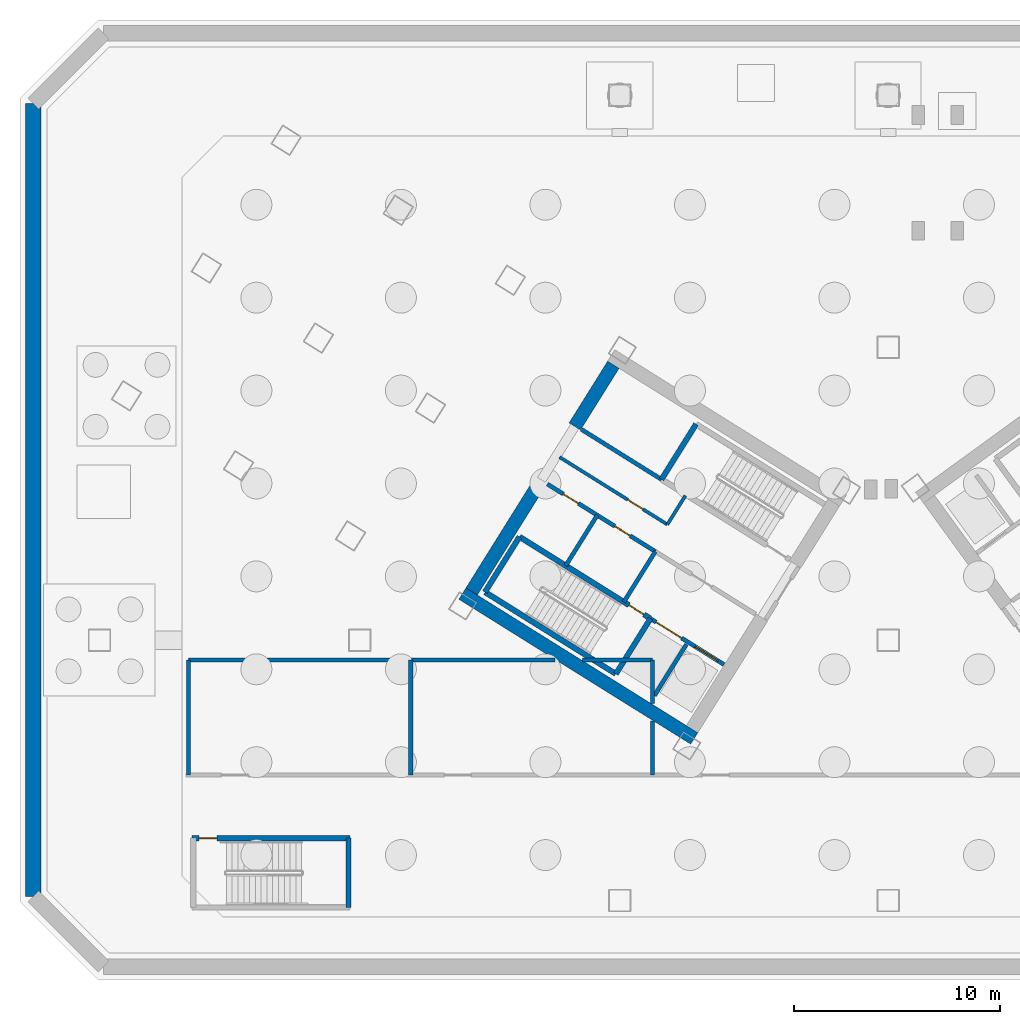
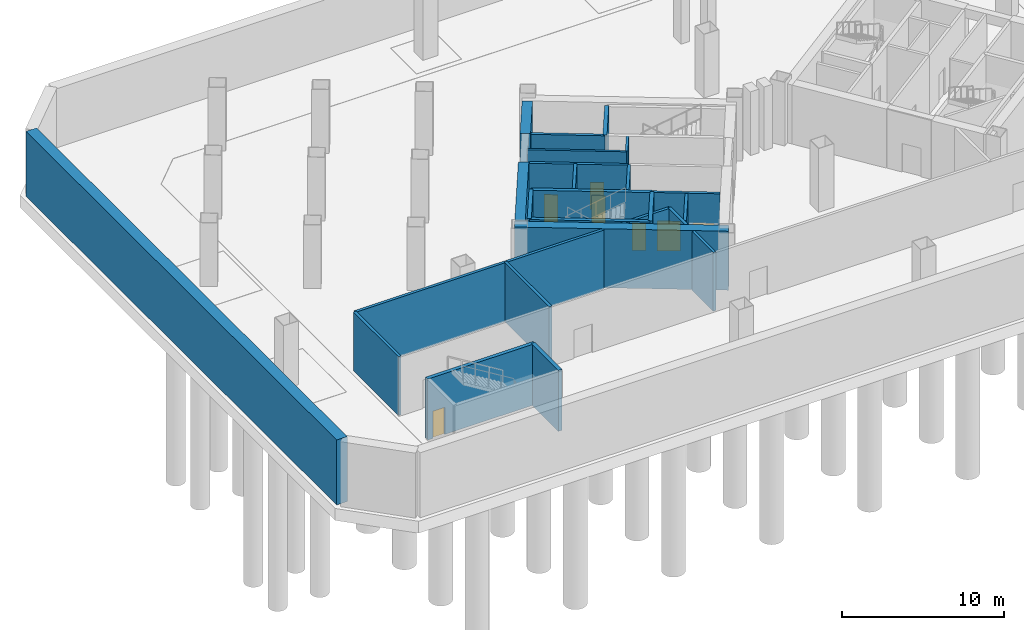
# One storey, part 4 of 11: 26 walls, 7 doors, 7 openings.
"""IFC4 building model written with IfcOpenShell, lengths in metres."""

from ifc_helpers import new_model, si_unit, direction, frame, frame_2d, origin, place, context, subcontext, project, spatial, rectangle, extrude, source, transform, mapped, material, layer, layer_set, type_object, element, fill, save


model = new_model("IFC4")

# Units and contexts
model_context = context("Model", 3, precision=1e-05, world=origin(), true_north=direction((0.0, 1.0)))
body_context = subcontext(model_context, "Body", "Model", "MODEL_VIEW")
ifc_project = project(units=[si_unit("LENGTHUNIT", "METRE"), si_unit("AREAUNIT", "SQUARE_METRE"), si_unit("VOLUMEUNIT", "CUBIC_METRE"), si_unit("PLANEANGLEUNIT", "RADIAN"), si_unit("MASSUNIT", "GRAM", prefix="KILO")], contexts=[model_context])

# Site, building, storey
site_placement = place(None, origin())
site = spatial("IfcSite", under=ifc_project, at=site_placement, CompositionType="ELEMENT")
building_placement = place(site_placement, origin())
building = spatial("IfcBuilding", under=site, at=building_placement, Name="Tlacorven Tower", CompositionType="ELEMENT")
storey_placement = place(building_placement, frame((0.0, 0.0, -9.60009765625)))
storey = spatial("IfcBuildingStorey", under=building, at=storey_placement, Name="B2", CompositionType="ELEMENT", Elevation=-9.60009765625)

# Walls
ifc_material_1 = material(Name="Concrete C60/75", Category="concrete")
ifc_layer_1 = layer(ifc_material_1, 0.64990234375)
ifc_layer_set_1 = layer_set([ifc_layer_1], Name="Concrete C60/75")
wall_type_1 = type_object("IfcWallType", Name="WL-COR-650", PredefinedType="SHEAR", material=ifc_layer_set_1)
wall_1_placement = place(storey_placement, frame((33.40869140625, 12.449951171875, 0.0), z_axis=(0.0, 0.0, 1.0), x_axis=(-0.848051132073, 0.529914405721, 0.0)))
element("IfcWall", 1, at=wall_1_placement, inside=storey, type_object=wall_type_1, Name="B2 W core shear wall S2", PredefinedType="SHEAR", context=body_context, shape_type="SweptSolid", body=[
    extrude(rectangle(XDim=13.239990234375, YDim=0.64990234375, at=frame_2d((6.6201171875, 0.0))), origin(), (0.0, 0.0, 1.0), 4.4501953125),
])
wall_2_placement = place(storey_placement, frame((29.49072265625, 30.5517578125, 0.0), z_axis=(0.0, 0.0, 1.0), x_axis=(-0.529893103397, -0.8480644427, 0.0)))
element("IfcWall", 2, at=wall_2_placement, inside=storey, type_object=wall_type_1, Name="B2 W core end wall E2.1", PredefinedType="SHEAR", context=body_context, shape_type="SweptSolid", body=[
    extrude(rectangle(XDim=3.525146484375, YDim=0.64990234375, at=frame_2d((1.7626953125, 0.0))), origin(), (0.0, 0.0, 1.0), 4.4501953125),
])
wall_3_placement = place(storey_placement, frame((26.006591796875, 24.975830078125, 0.0), z_axis=(0.0, 0.0, 1.0), x_axis=(-0.529916319127, -0.848049936456, 0.0)))
element("IfcWall", 3, at=wall_3_placement, inside=storey, type_object=wall_type_1, Name="B2 W core end wall E2.2", PredefinedType="SHEAR", context=body_context, shape_type="SweptSolid", body=[
    extrude(rectangle(XDim=6.375, YDim=0.64990234375, at=frame_2d((3.1875, 0.0))), origin(), (0.0, 0.0, 1.0), 4.4501953125),
])

# Wall, opening, door
ifc_material_2 = material(Name="Gypsum plasterboard acoustic partition", Category="gypsum")
ifc_layer_2 = layer(ifc_material_2, 0.159912109375)
ifc_layer_set_2 = layer_set([ifc_layer_2], Name="Gypsum plasterboard acoustic partition")
wall_type_2 = type_object("IfcWallType", Name="WL-DEM-160", PredefinedType="PARTITIONING", material=ifc_layer_set_2)
wall_4_placement = place(storey_placement, frame((32.108154296875, 22.81396484375, 0.0), z_axis=(0.0, 0.0, 1.0), x_axis=(-0.848047283855, 0.529920564185, 0.0)))
wall_4 = element("IfcWall", 4, at=wall_4_placement, inside=storey, type_object=wall_type_2, Name="B2 partition 11", PredefinedType="PARTITIONING", context=body_context, shape_type="SweptSolid", body=[
    extrude(rectangle(XDim=6.16015625, YDim=0.159912109375, at=frame_2d((3.080078125, 0.0))), origin(), (0.0, 0.0, 1.0), 4.440185546875),
])
opening_1_placement = place(wall_4_placement, frame((1.39990234375, 0.0, 0.0)))
opening_1 = element("IfcOpeningElement", 5, at=opening_1_placement, cuts=wall_4, Name="Opening D19", PredefinedType="OPENING", context=body_context, shape_type="SweptSolid", body=[
    extrude(rectangle(XDim=0.860107421875, YDim=2.050048828125, at=frame_2d((0.43017578125, 1.02490234375))), frame((0.0, 0.08984375, 0.0), z_axis=(0.0, -1.0, 0.0), x_axis=(1.0, 0.0, 0.0)), (0.0, 0.0, 1.0), 0.179931640625),
])
ifc_material_3 = material(Name="Fire-rated steel door assembly", Category="steel")
door_type_1 = type_object("IfcDoorType", Name="DR-RSR-FD60-0860", OperationType="NOTDEFINED", PredefinedType="DOOR", material=ifc_material_3)
shared_shape_1 = source(origin(), body_context, "Body", "SweptSolid", [
    extrude(rectangle(XDim=0.860107421875, YDim=2.050048828125, at=frame_2d((0.43017578125, 1.02490234375))), frame((0.0, 0.02490234375, 0.0), z_axis=(0.0, -1.0, 0.0), x_axis=(1.0, 0.0, 0.0)), (0.0, 0.0, 1.0), 0.050048828125),
])
door_1_placement = place(opening_1_placement, origin())
door_1 = element("IfcDoor", 6, at=door_1_placement, inside=storey, type_object=door_type_1, Name="B2 Freed Core Store Door", OperationType="SINGLE_SWING_LEFT", OverallHeight=2.050048828125, OverallWidth=0.860107421875, PredefinedType="DOOR", context=body_context, shape_type="MappedRepresentation", body=[
    mapped(shared_shape_1, transform((0.0, 0.0, 0.0), scale=1.0)),
])
fill(opening_1, door_1)

# Walls
wall_5_placement = place(storey_placement, frame((32.982421875, 24.21337890625, 0.0), z_axis=(0.0, 0.0, 1.0), x_axis=(-0.529839334948, -0.84809803628, 0.0)))
element("IfcWall", 7, at=wall_5_placement, inside=storey, type_object=wall_type_2, Name="B2 partition 12", PredefinedType="PARTITIONING", context=body_context, shape_type="SweptSolid", body=[
    extrude(rectangle(XDim=1.650146484375, YDim=0.159912109375, at=frame_2d((0.8251953125, 0.0))), origin(), (0.0, 0.0, 1.0), 4.440185546875),
])
ifc_material_4 = material(Name="Concrete C50/60", Category="concrete")
ifc_layer_3 = layer(ifc_material_4, 0.75)
ifc_layer_set_3 = layer_set([ifc_layer_3], Name="Concrete C50/60")
wall_type_3 = type_object("IfcWallType", Name="WL-RET-750", PredefinedType="USERDEFINED", material=ifc_layer_set_3)
wall_6_placement = place(storey_placement, frame((1.39990234375, 43.199951171875, -0.449951171875), z_axis=(0.0, 0.0, 1.0), x_axis=(0.0, -1.0, 0.0)))
element("IfcWall", 8, at=wall_6_placement, inside=storey, type_object=wall_type_3, Name="B2 Diaphragm Retaining Wall 7", ObjectType="RETAINING WALL", PredefinedType="USERDEFINED", context=body_context, shape_type="SweptSolid", body=[
    extrude(rectangle(XDim=38.39990234375, YDim=0.75, at=frame_2d((19.199951171875, 0.0))), origin(), (0.0, 0.0, 1.0), 4.900146484375),
])

# Wall, openings, doors
ifc_material_5 = material(Name="Concrete C40/50", Category="concrete")
ifc_layer_4 = layer(ifc_material_5, 0.199951171875)
ifc_layer_set_4 = layer_set([ifc_layer_4], Name="Concrete C40/50")
wall_type_4 = type_object("IfcWallType", Name="WL-SHF-200", PredefinedType="STANDARD", material=ifc_layer_set_4)
wall_7_placement = place(storey_placement, frame((34.84814453125, 16.03125, 0.0), z_axis=(0.0, 0.0, 1.0), x_axis=(-0.848044042236, 0.529925751807, 0.0)))
wall_7 = element("IfcWall", 9, at=wall_7_placement, inside=storey, type_object=wall_type_4, Name="B2 Core W Firefighting Lift Shaft Front Wall", PredefinedType="STANDARD", context=body_context, shape_type="SweptSolid", body=[
    extrude(rectangle(XDim=4.197998046875, YDim=0.199951171875, at=frame_2d((2.09912109375, 0.0))), origin(), (0.0, 0.0, 1.0), 4.440185546875),
])
opening_2_placement = place(wall_7_placement, frame((0.347900390625, 0.0, 0.0)))
opening_2 = element("IfcOpeningElement", 10, at=opening_2_placement, cuts=wall_7, Name="Opening LD03", PredefinedType="OPENING", context=body_context, shape_type="SweptSolid", body=[
    extrude(rectangle(XDim=1.300048828125, YDim=2.199951171875, at=frame_2d((0.64990234375, 1.10009765625))), frame((0.0, 0.10986328125, 0.0), z_axis=(0.0, -1.0, 0.0), x_axis=(1.0, 0.0, 0.0)), (0.0, 0.0, 1.0), 0.219970703125),
])
opening_3_placement = place(wall_7_placement, frame((2.423095703125, 0.0, 0.0)))
opening_3 = element("IfcOpeningElement", 11, at=opening_3_placement, cuts=wall_7, Name="Opening LD04", PredefinedType="OPENING", context=body_context, shape_type="SweptSolid", body=[
    extrude(rectangle(XDim=1.449951171875, YDim=2.25, at=frame_2d((0.72509765625, 1.125))), frame((0.0, 0.10986328125, 0.0), z_axis=(0.0, -1.0, 0.0), x_axis=(1.0, 0.0, 0.0)), (0.0, 0.0, 1.0), 0.219970703125),
])
door_type_2 = type_object("IfcDoorType", Name="DR-LFT-SLID-1300", OperationType="DOUBLE_DOOR_SLIDING", PredefinedType="DOOR", material=ifc_material_3)
shared_shape_2 = source(origin(), body_context, "Body", "SweptSolid", [
    extrude(rectangle(XDim=1.300048828125, YDim=2.199951171875, at=frame_2d((0.64990234375, 1.10009765625))), frame((0.0, 0.02490234375, 0.0), z_axis=(0.0, -1.0, 0.0), x_axis=(1.0, 0.0, 0.0)), (0.0, 0.0, 1.0), 0.050048828125),
])
door_2_placement = place(opening_2_placement, origin())
door_2 = element("IfcDoor", 12, at=door_2_placement, inside=storey, type_object=door_type_2, Name="B2 Lift FFL-W1 Sliding Landing Door", OperationType="DOUBLE_DOOR_SLIDING", OverallHeight=2.199951171875, OverallWidth=1.300048828125, PredefinedType="DOOR", context=body_context, shape_type="MappedRepresentation", body=[
    mapped(shared_shape_2, transform((0.0, 0.0, 0.0), scale=1.0)),
])
fill(opening_2, door_2)
door_type_3 = type_object("IfcDoorType", Name="DR-LFT-SLID-1450", OperationType="DOUBLE_DOOR_SLIDING", PredefinedType="DOOR", material=ifc_material_3)
shared_shape_3 = source(origin(), body_context, "Body", "SweptSolid", [
    extrude(rectangle(XDim=1.449951171875, YDim=2.25, at=frame_2d((0.72509765625, 1.125))), frame((0.0, 0.02490234375, 0.0), z_axis=(0.0, -1.0, 0.0), x_axis=(1.0, 0.0, 0.0)), (0.0, 0.0, 1.0), 0.050048828125),
])
door_3_placement = place(opening_3_placement, origin())
door_3 = element("IfcDoor", 13, at=door_3_placement, inside=storey, type_object=door_type_3, Name="B2 Lift SVL-W1 Sliding Landing Door", OperationType="DOUBLE_DOOR_SLIDING", OverallHeight=2.25, OverallWidth=1.449951171875, PredefinedType="DOOR", context=body_context, shape_type="MappedRepresentation", body=[
    mapped(shared_shape_3, transform((0.0, 0.0, 0.0), scale=1.0)),
])
fill(opening_3, door_3)

# Walls
wall_8_placement = place(storey_placement, frame((31.82177734375, 24.99755859375, 0.0), z_axis=(0.0, 0.0, 1.0), x_axis=(-0.848058348634, 0.529902856485, 0.0)))
element("IfcWall", 14, at=wall_8_placement, inside=storey, type_object=wall_type_4, Name="B2 Core W South Lift Shaft Wall", PredefinedType="STANDARD", context=body_context, shape_type="SweptSolid", body=[
    extrude(rectangle(XDim=4.568115234375, YDim=0.199951171875, at=frame_2d((2.2841796875, 0.0))), origin(), (0.0, 0.0, 1.0), 4.440185546875),
])
wall_9_placement = place(storey_placement, frame((33.02880859375, 17.003173828125, 0.0), z_axis=(0.0, 0.0, 1.0), x_axis=(-0.529916267533, -0.848049968695, 0.0)))
element("IfcWall", 15, at=wall_9_placement, inside=storey, type_object=wall_type_4, Name="B2 partition 13", PredefinedType="STANDARD", context=body_context, shape_type="SweptSolid", body=[
    extrude(rectangle(XDim=2.919921875, YDim=0.199951171875, at=frame_2d((1.4599609375, 0.0))), origin(), (0.0, 0.0, 1.0), 4.440185546875),
])
for number, where, z_axis, x_axis, name in (
    (16, (31.525146484375, 21.503662109375, 0.0), (0.0, 0.0, 1.0), (-0.529907497854, -0.848055448493, 0.0), "B2 partition 14"),
    (17, (28.709716796875, 23.26318359375, 0.0), (0.0, 0.0, 1.0), (-0.529907497854, -0.848055448493, 0.0), "B2 partition 15"),
):
    element("IfcWall", number, at=place(storey_placement, frame(where, z_axis=z_axis, x_axis=x_axis)), inside=storey, type_object=wall_type_4, Name=name, PredefinedType="STANDARD", context=body_context, shape_type="SweptSolid", body=[
        extrude(rectangle(XDim=2.8798828125, YDim=0.199951171875, at=frame_2d((1.43994140625, 0.0))), origin(), (0.0, 0.0, 1.0), 4.440185546875),
    ])

# Wall, openings, doors
wall_10_placement = place(storey_placement, frame((31.525146484375, 21.503662109375, 0.0), z_axis=(0.0, 0.0, 1.0), x_axis=(-0.848044998614, 0.529924221305, 0.0)))
wall_10 = element("IfcWall", 18, at=wall_10_placement, inside=storey, type_object=wall_type_4, Name="B2 Core W North Service Wall", PredefinedType="STANDARD", context=body_context, shape_type="SweptSolid", body=[
    extrude(rectangle(XDim=6.16796875, YDim=0.199951171875, at=frame_2d((3.083984375, 0.0))), origin(), (0.0, 0.0, 1.0), 4.440185546875),
])
opening_4_placement = place(wall_10_placement, frame((4.39990234375, 0.0, 0.0)))
opening_4 = element("IfcOpeningElement", 19, at=opening_4_placement, cuts=wall_10, Name="Opening D19", PredefinedType="OPENING", context=body_context, shape_type="SweptSolid", body=[
    extrude(rectangle(XDim=0.860107421875, YDim=2.050048828125, at=frame_2d((0.43017578125, 1.02490234375))), frame((0.0, 0.10986328125, 0.0), z_axis=(0.0, -1.0, 0.0), x_axis=(1.0, 0.0, 0.0)), (0.0, 0.0, 1.0), 0.219970703125),
])
opening_5_placement = place(wall_10_placement, frame((1.449951171875, 0.0, 0.0)))
opening_5 = element("IfcOpeningElement", 20, at=opening_5_placement, cuts=wall_10, Name="Opening D19", PredefinedType="OPENING", context=body_context, shape_type="SweptSolid", body=[
    extrude(rectangle(XDim=0.860107421875, YDim=2.050048828125, at=frame_2d((0.43017578125, 1.02490234375))), frame((0.0, 0.10986328125, 0.0), z_axis=(0.0, -1.0, 0.0), x_axis=(1.0, 0.0, 0.0)), (0.0, 0.0, 1.0), 0.219970703125),
])
door_4_placement = place(opening_4_placement, frame((0.860107421875, 0.0, 0.0), z_axis=(0.0, 0.0, 1.0), x_axis=(-1.0, 0.0, 0.0)))
door_4 = element("IfcDoor", 21, at=door_4_placement, inside=storey, type_object=door_type_1, Name="B2 Electrical Riser Access Door W", OperationType="SINGLE_SWING_RIGHT", OverallHeight=2.050048828125, OverallWidth=0.860107421875, PredefinedType="DOOR", context=body_context, shape_type="MappedRepresentation", body=[
    mapped(shared_shape_1, transform((0.0, 0.0, 0.0), scale=1.0)),
])
fill(opening_4, door_4)
door_5_placement = place(opening_5_placement, frame((0.860107421875, 0.0, 0.0), z_axis=(0.0, 0.0, 1.0), x_axis=(-1.0, 0.0, 0.0)))
door_5 = element("IfcDoor", 22, at=door_5_placement, inside=storey, type_object=door_type_1, Name="B2 Housekeeping Linen Access Door W", OperationType="SINGLE_SWING_LEFT", OverallHeight=2.050048828125, OverallWidth=0.860107421875, PredefinedType="DOOR", context=body_context, shape_type="MappedRepresentation", body=[
    mapped(shared_shape_1, transform((0.0, 0.0, 0.0), scale=1.0)),
])
fill(opening_5, door_5)

# Walls
for number, where, z_axis, x_axis, name in (
    (23, (8.919921875, 10.679931640625, 0.0), (0.0, 0.0, 1.0), (0.0, 1.0, 0.0), "B2 partition 49"),
    (24, (19.679931640625, 10.679931640625, 0.0), (0.0, 0.0, 1.0), (0.0, 1.0, 0.0), "B2 partition 50"),
):
    element("IfcWall", number, at=place(storey_placement, frame(where, z_axis=z_axis, x_axis=x_axis)), inside=storey, type_object=wall_type_4, Name=name, PredefinedType="STANDARD", context=body_context, shape_type="SweptSolid", body=[
        extrude(rectangle(XDim=5.570068359375, YDim=0.199951171875, at=frame_2d((2.78515625, 0.0))), origin(), (0.0, 0.0, 1.0), 4.440185546875),
    ])
wall_11_placement = place(storey_placement, frame((8.919921875, 16.25, 0.0), z_axis=(0.0, 0.0, 1.0), x_axis=(1.0, 0.0, 0.0)))
element("IfcWall", 25, at=wall_11_placement, inside=storey, type_object=wall_type_4, Name="B2 partition 51", PredefinedType="STANDARD", context=body_context, shape_type="SweptSolid", body=[
    extrude(rectangle(XDim=10.760009765625, YDim=0.199951171875, at=frame_2d((5.3798828125, 0.0))), origin(), (0.0, 0.0, 1.0), 4.440185546875),
])
wall_12_placement = place(storey_placement, frame((31.3798828125, 10.679931640625, 0.0), z_axis=(0.0, 0.0, 1.0), x_axis=(0.0, 1.0, 0.0)))
element("IfcWall", 26, at=wall_12_placement, inside=storey, type_object=wall_type_4, Name="B2 partition 53", PredefinedType="STANDARD", context=body_context, shape_type="SweptSolid", body=[
    extrude(rectangle(XDim=2.62255859375, YDim=0.199951171875, at=frame_2d((1.311279296875, 0.0))), origin(), (0.0, 0.0, 1.0), 4.440185546875),
])
wall_13_placement = place(storey_placement, frame((31.3798828125, 14.132568359375, 0.0), z_axis=(0.0, 0.0, 1.0), x_axis=(0.0, 1.0, 0.0)))
element("IfcWall", 27, at=wall_13_placement, inside=storey, type_object=wall_type_4, Name="B2 partition 53", PredefinedType="STANDARD", context=body_context, shape_type="SweptSolid", body=[
    extrude(rectangle(XDim=2.117431640625, YDim=0.199951171875, at=frame_2d((1.05859375, 0.0))), origin(), (0.0, 0.0, 1.0), 4.440185546875),
])
wall_14_placement = place(storey_placement, frame((19.719970703125, 16.25, 0.0), z_axis=(0.0, 0.0, 1.0), x_axis=(1.0, 0.0, 0.0)))
element("IfcWall", 28, at=wall_14_placement, inside=storey, type_object=wall_type_4, Name="B2 partition 54", PredefinedType="STANDARD", context=body_context, shape_type="SweptSolid", body=[
    extrude(rectangle(XDim=6.943115234375, YDim=0.199951171875, at=frame_2d((3.4716796875, 0.0))), origin(), (0.0, 0.0, 1.0), 4.440185546875),
])
wall_15_placement = place(storey_placement, frame((27.991455078125, 16.25, 0.0), z_axis=(0.0, 0.0, 1.0), x_axis=(1.0, 0.0, 0.0)))
element("IfcWall", 29, at=wall_15_placement, inside=storey, type_object=wall_type_4, Name="B2 partition 54", PredefinedType="STANDARD", context=body_context, shape_type="SweptSolid", body=[
    extrude(rectangle(XDim=3.388427734375, YDim=0.199951171875, at=frame_2d((1.6943359375, 0.0))), origin(), (0.0, 0.0, 1.0), 4.440185546875),
])
ifc_layer_5 = layer(ifc_material_4, 0.260009765625)
ifc_layer_set_5 = layer_set([ifc_layer_5], Name="Concrete C50/60")
wall_type_5 = type_object("IfcWallType", Name="WL-STW-260", PredefinedType="SHEAR", material=ifc_layer_set_5)
wall_16_placement = place(storey_placement, frame((29.60498046875, 15.581298828125, 0.0), z_axis=(0.0, 0.0, 1.0), x_axis=(-0.848036911448, 0.529937163087, 0.0)))
element("IfcWall", 30, at=wall_16_placement, inside=storey, type_object=wall_type_5, Name="B2 Stair W1 Far Shear Wall", PredefinedType="SHEAR", context=body_context, shape_type="SweptSolid", body=[
    extrude(rectangle(XDim=7.4599609375, YDim=0.260009765625, at=frame_2d((3.72998046875, 0.0))), origin(), (0.0, 0.0, 1.0), 4.4501953125),
])

# Wall, opening, door
wall_17_placement = place(storey_placement, frame((31.279541015625, 18.26123046875, 0.0), z_axis=(0.0, 0.0, 1.0), x_axis=(-0.848051618787, 0.529913626805, 0.0)))
wall_17 = element("IfcWall", 31, at=wall_17_placement, inside=storey, type_object=wall_type_5, Name="B2 Stair W1 Lobby Shear Wall", PredefinedType="SHEAR", context=body_context, shape_type="SweptSolid", body=[
    extrude(rectangle(XDim=7.4599609375, YDim=0.260009765625, at=frame_2d((3.72998046875, 0.0))), origin(), (0.0, 0.0, 1.0), 4.4501953125),
])
opening_6_placement = place(wall_17_placement, frame((0.360107421875, 0.0, 0.0)))
opening_6 = element("IfcOpeningElement", 32, at=opening_6_placement, cuts=wall_17, Name="Opening D19", PredefinedType="OPENING", context=body_context, shape_type="SweptSolid", body=[
    extrude(rectangle(XDim=0.860107421875, YDim=2.050048828125, at=frame_2d((0.43017578125, 1.02490234375))), frame((0.0, 0.14013671875, 0.0), z_axis=(0.0, -1.0, 0.0), x_axis=(1.0, 0.0, 0.0)), (0.0, 0.0, 1.0), 0.280029296875),
])
door_6_placement = place(opening_6_placement, frame((0.860107421875, 0.0, 0.0), z_axis=(0.0, 0.0, 1.0), x_axis=(-1.0, 0.0, 0.0)))
door_6 = element("IfcDoor", 33, at=door_6_placement, inside=storey, type_object=door_type_1, Name="B2 Exit Stair W1 Fire Door", OperationType="SINGLE_SWING_LEFT", OverallHeight=2.050048828125, OverallWidth=0.860107421875, PredefinedType="DOOR", context=body_context, shape_type="MappedRepresentation", body=[
    mapped(shared_shape_1, transform((0.0, 0.0, 0.0), scale=1.0)),
])
fill(opening_6, door_6)

# Walls
wall_18_placement = place(storey_placement, frame((31.2880859375, 18.255859375, 0.0), z_axis=(0.0, 0.0, 1.0), x_axis=(-0.529943379326, -0.848033026897, 0.0)))
element("IfcWall", 34, at=wall_18_placement, inside=storey, type_object=wall_type_5, Name="B2 Stair W1 West Shear Wall", PredefinedType="SHEAR", context=body_context, shape_type="SweptSolid", body=[
    extrude(rectangle(XDim=3.159912109375, YDim=0.260009765625, at=frame_2d((1.580078125, 0.0))), origin(), (0.0, 0.0, 1.0), 4.4501953125),
])
for number, where, z_axis, x_axis, name in (
    (35, (24.944580078125, 22.2197265625, 0.0), (0.0, 0.0, 1.0), (-0.529908658664, -0.84805472316, 0.0), "B2 Stair W1 East Shear Wall"),
    (36, (33.496337890625, 27.677490234375, 0.0), (0.0, 0.0, 1.0), (-0.529908658664, -0.84805472316, 0.0), "B2 Stair W2 East Shear Wall"),
):
    element("IfcWall", number, at=place(storey_placement, frame(where, z_axis=z_axis, x_axis=x_axis)), inside=storey, type_object=wall_type_5, Name=name, PredefinedType="SHEAR", context=body_context, shape_type="SweptSolid", body=[
        extrude(rectangle(XDim=3.16015625, YDim=0.260009765625, at=frame_2d((1.580078125, 0.0))), origin(), (0.0, 0.0, 1.0), 4.4501953125),
    ])

# Wall, opening, door
wall_19_placement = place(storey_placement, frame((9.070068359375, 7.6201171875, 0.0), z_axis=(0.0, 0.0, 1.0), x_axis=(1.0, 0.0, 0.0)))
wall_19 = element("IfcWall", 37, at=wall_19_placement, inside=storey, type_object=wall_type_5, Name="B2 Stair P1 North Wall", PredefinedType="SHEAR", context=body_context, shape_type="SweptSolid", body=[
    extrude(rectangle(XDim=7.659912109375, YDim=0.260009765625, at=frame_2d((3.830078125, 0.0))), origin(), (0.0, 0.0, 1.0), 4.60009765625),
])
opening_7_placement = place(wall_19_placement, frame((0.360107421875, 0.0, 0.0)))
opening_7 = element("IfcOpeningElement", 38, at=opening_7_placement, cuts=wall_19, Name="Opening D19", PredefinedType="OPENING", context=body_context, shape_type="SweptSolid", body=[
    extrude(rectangle(XDim=0.860107421875, YDim=2.050048828125, at=frame_2d((0.43017578125, 1.02490234375))), frame((0.0, 0.14013671875, 0.0), z_axis=(0.0, -1.0, 0.0), x_axis=(1.0, 0.0, 0.0)), (0.0, 0.0, 1.0), 0.280029296875),
])
door_7_placement = place(opening_7_placement, origin())
door_7 = element("IfcDoor", 39, at=door_7_placement, inside=storey, type_object=door_type_1, Name="B2 door 017", OperationType="SINGLE_SWING_LEFT", OverallHeight=2.050048828125, OverallWidth=0.860107421875, PredefinedType="DOOR", context=body_context, shape_type="MappedRepresentation", body=[
    mapped(shared_shape_1, transform((0.0, 0.0, 0.0), scale=1.0)),
])
fill(opening_7, door_7)

# Wall
wall_20_placement = place(storey_placement, frame((16.659912109375, 4.260009765625, 0.0), z_axis=(0.0, 0.0, 1.0), x_axis=(0.0, 1.0, 0.0)))
element("IfcWall", 40, at=wall_20_placement, inside=storey, type_object=wall_type_5, Name="B2 Stair P1 East Wall", PredefinedType="SHEAR", context=body_context, shape_type="SweptSolid", body=[
    extrude(rectangle(XDim=3.360107421875, YDim=0.260009765625, at=frame_2d((1.68017578125, 0.0))), origin(), (0.0, 0.0, 1.0), 4.60009765625),
])

save(model, "model.ifc")
